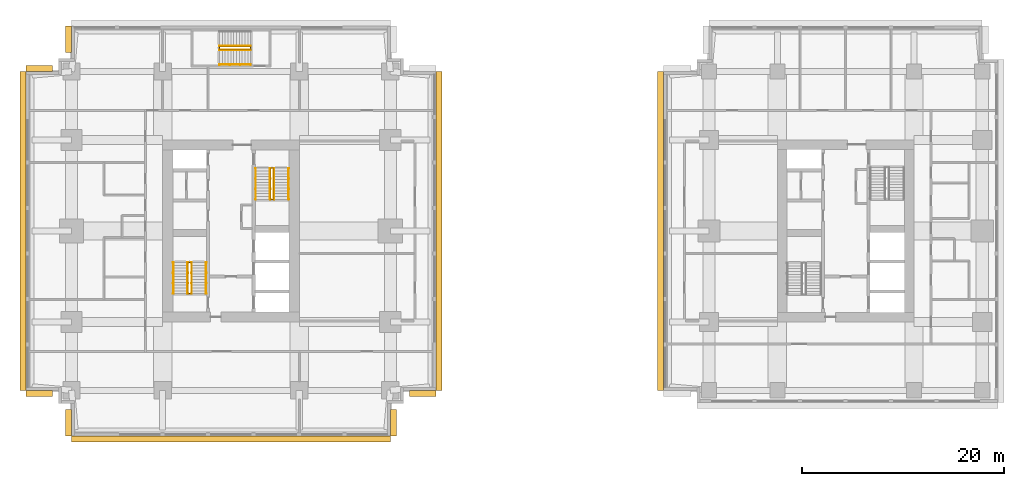
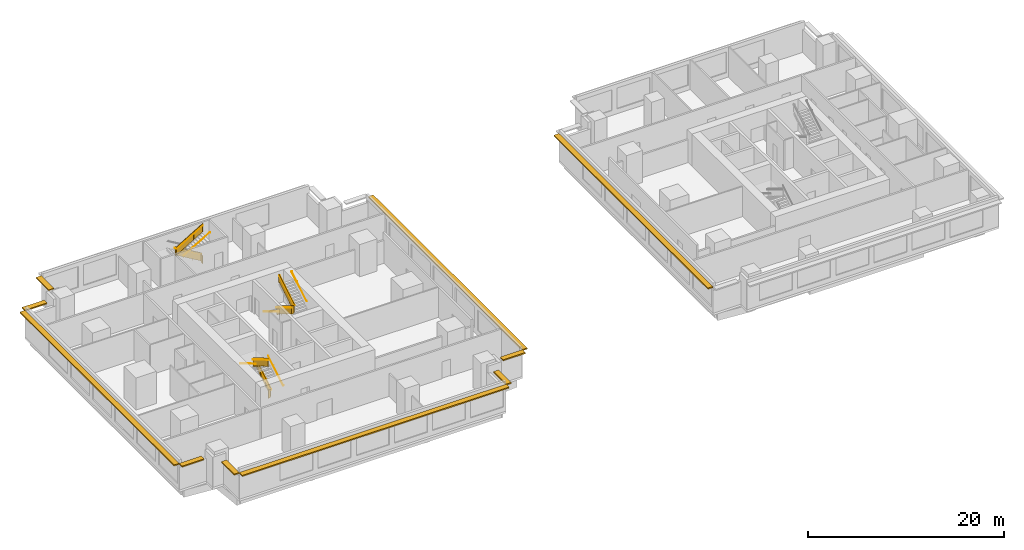
# One storey, part 9 of 10: 14 railings, 10 shading devices.
"""IFC4 building model written with IfcOpenShell, lengths in metres."""

import ifcopenshell
import ifcopenshell.guid

model = None  # the IFC model being written
_history = None  # IfcOwnerHistory: only IFC2X3 demands one
_inside = {}  # id of a spatial element -> (the spatial element, [elements in it])
_under = {}  # id of a project, library or spatial element -> (it, [spatial elements below it])
_declared = {}  # id of a project -> (the project, [libraries it declares])
_typed = {}  # id of a type object -> (the type object, [elements of that type])
_made_of = {}  # id of a material, layer set ... -> (it, [elements and type objects made of it])


def new_model(schema):
    """Start an empty IFC model of exactly this schema.

    Asked for "IFC4X3", IfcOpenShell would pick the latest addendum, in which some entities
    have other attributes; the version numbers below select the first issue.
    IFC2X3 requires an IfcOwnerHistory on every rooted entity: one is made here for all.
    """
    global model, _history
    if schema == "IFC4X3":
        model = ifcopenshell.file(schema_version=(4, 3, 0, 0))
    else:
        model = ifcopenshell.file(schema=schema)
    _inside.clear()
    _under.clear()
    _declared.clear()
    _typed.clear()
    _made_of.clear()
    _history = None
    if model.schema == "IFC2X3":
        org = make("IfcOrganization", Name="unknown")
        user = make(
            "IfcPersonAndOrganization",
            ThePerson=make("IfcPerson", FamilyName="unknown"),
            TheOrganization=org,
        )
        app = make(
            "IfcApplication",
            ApplicationDeveloper=org,
            Version="unknown",
            ApplicationFullName="unknown",
            ApplicationIdentifier="unknown",
        )
        _history = make(
            "IfcOwnerHistory",
            OwningUser=user,
            OwningApplication=app,
            ChangeAction="ADDED",
            CreationDate=0,
        )
    return model


def make(cls, **values):
    """One entity of the class cls with the attributes given. An attribute that is None is left unset."""
    return model.create_entity(
        cls, **{name: value for name, value in values.items() if value is not None}
    )


def rooted(cls, **values):
    """An entity with a GlobalId (a new one), such as an element, a storey or a relation."""
    return make(cls, GlobalId=ifcopenshell.guid.new(), OwnerHistory=_history, **values)


def si_unit(unit_type, name, prefix=None):
    """IfcSIUnit, for example si_unit("LENGTHUNIT", "METRE", prefix="MILLI")."""
    return make("IfcSIUnit", UnitType=unit_type, Prefix=prefix, Name=name)


def assignment(units):
    """IfcUnitAssignment: the units of a project."""
    return None if units is None else make("IfcUnitAssignment", Units=units)


def point(xyz):
    """IfcCartesianPoint."""
    return None if xyz is None else make("IfcCartesianPoint", Coordinates=xyz)


def direction(xyz):
    """IfcDirection."""
    return None if xyz is None else make("IfcDirection", DirectionRatios=xyz)


def frame(location, z_axis=None, x_axis=None):
    """IfcAxis2Placement3D, a coordinate frame: its origin and axes. An axis left out is left unset."""
    return make(
        "IfcAxis2Placement3D",
        Location=point(location),
        Axis=direction(z_axis),
        RefDirection=direction(x_axis),
    )


def frame_2d(location, x_axis=None):
    """IfcAxis2Placement2D, a coordinate frame in the plane: its origin and x axis."""
    return make(
        "IfcAxis2Placement2D", Location=point(location), RefDirection=direction(x_axis)
    )


def origin():
    """The frame at (0, 0, 0) with its axes left unset."""
    return frame((0.0, 0.0, 0.0))


def origin_2d():
    """The frame at (0, 0) in the plane with its x axis left unset."""
    return frame_2d((0.0, 0.0))


def place(relative_to, where):
    """IfcLocalPlacement: puts the frame where relative to a parent placement (None: the world)."""
    return make(
        "IfcLocalPlacement", PlacementRelTo=relative_to, RelativePlacement=where
    )


def context(
    kind, dimensions, precision=None, world=None, true_north=None, identifier=None
):
    """IfcGeometricRepresentationContext, for example the 3D "Model" context."""
    return make(
        "IfcGeometricRepresentationContext",
        ContextIdentifier=identifier,
        ContextType=kind,
        CoordinateSpaceDimension=dimensions,
        Precision=precision,
        WorldCoordinateSystem=world,
        TrueNorth=true_north,
    )


def subcontext(parent, identifier, kind, view, scale=None):
    """IfcGeometricRepresentationSubContext, for example "Body" below "Model"."""
    return make(
        "IfcGeometricRepresentationSubContext",
        ContextIdentifier=identifier,
        ContextType=kind,
        ParentContext=parent,
        TargetScale=scale,
        TargetView=view,
    )


def project(units=None, contexts=None):
    """IfcProject with its units and contexts."""
    return rooted(
        "IfcProject",
        Name="project",
        RepresentationContexts=contexts,
        UnitsInContext=assignment(units),
    )


def spatial(cls, under=None, at=None, **own):
    """A site, building, storey or space (cls), placed at a placement, below another one or the project."""
    s = rooted(cls, ObjectPlacement=at, **own)
    if under is not None:
        _under.setdefault(under.id(), (under, []))[1].append(s)
    return s


def polyline(points):
    """IfcPolyline through the points."""
    return make("IfcPolyline", Points=[point(p) for p in points])


def profile(cls, at=None, kind="AREA", **sizes):
    """A parametric profile (cls). Its sizes go by their IFC names, for example OverallWidth=200.0."""
    return make(cls, ProfileType=kind, Position=at, **sizes)


def rectangle(**sizes):
    """IfcRectangleProfileDef."""
    return profile("IfcRectangleProfileDef", **sizes)


def circle(**sizes):
    """IfcCircleProfileDef."""
    return profile("IfcCircleProfileDef", **sizes)


def outline(outer, holes=None, kind="AREA"):
    """IfcArbitraryClosedProfileDef: a profile drawn as a closed curve; with holes, ...WithVoids."""
    if holes is None:
        return make("IfcArbitraryClosedProfileDef", ProfileType=kind, OuterCurve=outer)
    return make(
        "IfcArbitraryProfileDefWithVoids",
        ProfileType=kind,
        OuterCurve=outer,
        InnerCurves=holes,
    )


def extrude(swept, where, along, depth):
    """IfcExtrudedAreaSolid: the profile swept, set in the frame where, extruded along a direction by depth."""
    return make(
        "IfcExtrudedAreaSolid",
        SweptArea=swept,
        Position=where,
        ExtrudedDirection=direction(along),
        Depth=depth,
    )


def shape(context_of_items, identifier, shape_type, items):
    """IfcShapeRepresentation: the items that make up one representation, for example the "Body"."""
    return make(
        "IfcShapeRepresentation",
        ContextOfItems=context_of_items,
        RepresentationIdentifier=identifier,
        RepresentationType=shape_type,
        Items=items,
    )


def material(Name=None, Category=None):
    """IfcMaterial."""
    return make("IfcMaterial", Name=Name, Category=Category)


def layer(
    of_material, thickness, ventilated=None, Name=None, Category=None, Priority=None
):
    """IfcMaterialLayer: one layer of a wall or slab, of a material (None: an air gap)."""
    return make(
        "IfcMaterialLayer",
        Material=of_material,
        LayerThickness=thickness,
        IsVentilated=ventilated,
        Name=Name,
        Category=Category,
        Priority=Priority,
    )


def layer_set(layers, Name=None):
    """IfcMaterialLayerSet."""
    return make("IfcMaterialLayerSet", MaterialLayers=layers, LayerSetName=Name)


def made_of(thing, what):
    """Note that an element or type object is made of a material, layer set ...; save() writes the relation."""
    if what is not None:
        _made_of.setdefault(what.id(), (what, []))[1].append(thing)
    return thing


def type_object(cls, material=None, **own):
    """A type object (cls), such as IfcWallType, which elements share."""
    return made_of(rooted(cls, **own), material)


def element(
    cls,
    number,
    at=None,
    inside=None,
    cuts=None,
    type_object=None,
    material=None,
    context=None,
    identifier="Body",
    shape_type=None,
    held_by="IfcProductDefinitionShape",
    body=None,
    shapes=None,
    **own,
):
    """One element of the class cls, such as IfcWall. Its Tag is "e" and its number.

    at: its placement. inside: the storey or other place that contains it. cuts: it is an
    opening in that element (IfcRelVoidsElement). A single representation is given by context,
    identifier, shape_type and body (its items); several are given by shapes. held_by: the class
    of the entity that holds the representations. save() writes the other relations.
    """
    e = rooted(cls, Tag="e%d" % number, ObjectPlacement=at, **own)
    if body is not None:
        shapes = [shape(context, identifier, shape_type, body)]
    if shapes is not None:
        e.Representation = make(held_by, Representations=shapes)
    if inside is not None:
        _inside.setdefault(inside.id(), (inside, []))[1].append(e)
    if cuts is not None:
        rooted(
            "IfcRelVoidsElement", RelatingBuildingElement=cuts, RelatedOpeningElement=e
        )
    if type_object is not None:
        _typed.setdefault(type_object.id(), (type_object, []))[1].append(e)
    return made_of(e, material)


def aggregate(whole, parts):
    """IfcRelAggregates: a whole, such as a stair, and the parts it consists of."""
    return rooted("IfcRelAggregates", RelatingObject=whole, RelatedObjects=parts)


def save(model, path):
    """Write the relations noted so far, then the file.

    IfcRelAggregates (storeys below a building ...), IfcRelContainedInSpatialStructure (elements
    in a storey), IfcRelDefinesByType, IfcRelAssociatesMaterial and IfcRelDeclares: one each for
    every whole, place, type object, material and project.
    """
    for whole, parts in _under.values():
        aggregate(whole, parts)
    for where, things in _inside.values():
        rooted(
            "IfcRelContainedInSpatialStructure",
            RelatedElements=things,
            RelatingStructure=where,
        )
    for kind, things in _typed.values():
        rooted("IfcRelDefinesByType", RelatedObjects=things, RelatingType=kind)
    for what, things in _made_of.values():
        rooted("IfcRelAssociatesMaterial", RelatedObjects=things, RelatingMaterial=what)
    for by, libraries in _declared.values():
        rooted("IfcRelDeclares", RelatingContext=by, RelatedDefinitions=libraries)
    model.write(path)


model = new_model("IFC4")

# Units and contexts
model_context = context("Model", 3, precision=1e-05, world=origin(), true_north=direction((0.0, 1.0)))
body_context = subcontext(model_context, "Body", "Model", "MODEL_VIEW")
ifc_project = project(units=[si_unit("LENGTHUNIT", "METRE"), si_unit("AREAUNIT", "SQUARE_METRE"), si_unit("VOLUMEUNIT", "CUBIC_METRE"), si_unit("PLANEANGLEUNIT", "RADIAN"), si_unit("MASSUNIT", "GRAM", prefix="KILO")], contexts=[model_context])

# Site, building, storey
site_placement = place(None, origin())
site = spatial("IfcSite", under=ifc_project, at=site_placement, CompositionType="ELEMENT")
building_placement = place(site_placement, origin())
building = spatial("IfcBuilding", under=site, at=building_placement, Name="Namib Vertical Campus", CompositionType="ELEMENT")
storey_placement = place(building_placement, frame((0.0, 0.0, 161.0)))
storey = spatial("IfcBuildingStorey", under=building, at=storey_placement, Name="L38", CompositionType="ELEMENT", Elevation=161.0)

# Railings
ifc_material_1 = material(Name="Steel handrail", Category="steel")
railing_type_1 = type_object("IfcRailingType", Name="Handrail 900", PredefinedType="HANDRAIL", material=ifc_material_1)
railing_1_placement = place(storey_placement, frame((17.800048828125, 14.050048828125, 0.166748046875)))
element("IfcRailing", 1, at=railing_1_placement, inside=storey, type_object=railing_type_1, Name="Handrail HR1 A-S1 L38 1", PredefinedType="HANDRAIL", context=body_context, shape_type="SweptSolid", body=[
    extrude(circle(Radius=0.02392578125, at=origin_2d()), frame((0.0, 0.0, 0.8759765625), z_axis=(0.0, 0.859290745958, 0.51148745235), x_axis=(-1.0, 0.0, 0.0)), (0.0, 0.0, 1.0), 3.584228515625),
    extrude(circle(Radius=0.008056640625, at=origin_2d()), frame((0.0, 0.0, 0.8759765625), z_axis=(1.0, 0.0, 0.0), x_axis=(0.0, 0.0, 1.0)), (0.0, 0.0, 1.0), 0.050048828125),
    extrude(circle(Radius=0.008056640625, at=origin_2d()), frame((0.0, 1.026611328125, 1.48681640625), z_axis=(1.0, 0.0, 0.0), x_axis=(0.0, 0.0, 1.0)), (0.0, 0.0, 1.0), 0.050048828125),
    extrude(circle(Radius=0.008056640625, at=origin_2d()), frame((0.0, 2.05322265625, 2.09814453125), z_axis=(1.0, 0.0, 0.0), x_axis=(0.0, 0.0, 1.0)), (0.0, 0.0, 1.0), 0.050048828125),
    extrude(circle(Radius=0.008056640625, at=origin_2d()), frame((0.0, 3.079833984375, 2.708984375), z_axis=(1.0, 0.0, 0.0), x_axis=(0.0, 0.0, 1.0)), (0.0, 0.0, 1.0), 0.050048828125),
])
railing_2_placement = place(storey_placement, frame((14.550048828125, 17.1298828125, 2.166748046875)))
element("IfcRailing", 2, at=railing_2_placement, inside=storey, type_object=railing_type_1, Name="Handrail HR1 A-S1 L38 2", PredefinedType="HANDRAIL", context=body_context, shape_type="SweptSolid", body=[
    extrude(circle(Radius=0.02392578125, at=origin_2d()), frame((0.0, 0.0, 0.8759765625), z_axis=(0.0, -0.859290745958, 0.51148745235), x_axis=(1.0, 0.0, 0.0)), (0.0, 0.0, 1.0), 3.584228515625),
    extrude(circle(Radius=0.008056640625, at=origin_2d()), frame((0.0, 0.0, 0.8759765625), z_axis=(-1.0, 0.0, 0.0), x_axis=(0.0, 0.0, 1.0)), (0.0, 0.0, 1.0), 0.050048828125),
    extrude(circle(Radius=0.008056640625, at=origin_2d()), frame((0.0, -1.026611328125, 1.48681640625), z_axis=(-1.0, 0.0, 0.0), x_axis=(0.0, 0.0, 1.0)), (0.0, 0.0, 1.0), 0.050048828125),
    extrude(circle(Radius=0.008056640625, at=origin_2d()), frame((0.0, -2.05322265625, 2.09814453125), z_axis=(-1.0, 0.0, 0.0), x_axis=(0.0, 0.0, 1.0)), (0.0, 0.0, 1.0), 0.050048828125),
    extrude(circle(Radius=0.008056640625, at=origin_2d()), frame((0.0, -3.079833984375, 2.708984375), z_axis=(-1.0, 0.0, 0.0), x_axis=(0.0, 0.0, 1.0)), (0.0, 0.0, 1.0), 0.050048828125),
])
railing_3_placement = place(storey_placement, frame((16.375, 14.050048828125, 0.166748046875)))
element("IfcRailing", 3, at=railing_3_placement, inside=storey, type_object=railing_type_1, Name="Handrail HR1 A-S1 L38 1 at the well", PredefinedType="HANDRAIL", context=body_context, shape_type="SweptSolid", body=[
    extrude(circle(Radius=0.02392578125, at=origin_2d()), frame((0.0, 0.0, 0.8759765625), z_axis=(0.0, 0.859290745958, 0.51148745235), x_axis=(-1.0, 0.0, 0.0)), (0.0, 0.0, 1.0), 3.584228515625),
    extrude(circle(Radius=0.008056640625, at=origin_2d()), frame((0.0, 0.0, 0.8759765625), z_axis=(-1.0, 0.0, 0.0), x_axis=(0.0, 0.0, 1.0)), (0.0, 0.0, 1.0), 0.0400390625),
    extrude(circle(Radius=0.008056640625, at=origin_2d()), frame((0.0, 1.026611328125, 1.48681640625), z_axis=(-1.0, 0.0, 0.0), x_axis=(0.0, 0.0, 1.0)), (0.0, 0.0, 1.0), 0.0400390625),
    extrude(circle(Radius=0.008056640625, at=origin_2d()), frame((0.0, 2.05322265625, 2.09814453125), z_axis=(-1.0, 0.0, 0.0), x_axis=(0.0, 0.0, 1.0)), (0.0, 0.0, 1.0), 0.0400390625),
    extrude(circle(Radius=0.008056640625, at=origin_2d()), frame((0.0, 3.079833984375, 2.708984375), z_axis=(-1.0, 0.0, 0.0), x_axis=(0.0, 0.0, 1.0)), (0.0, 0.0, 1.0), 0.0400390625),
])
railing_4_placement = place(storey_placement, frame((15.97509765625, 17.1298828125, 2.166748046875)))
element("IfcRailing", 4, at=railing_4_placement, inside=storey, type_object=railing_type_1, Name="Handrail HR1 A-S1 L38 2 at the well", PredefinedType="HANDRAIL", context=body_context, shape_type="SweptSolid", body=[
    extrude(circle(Radius=0.02392578125, at=origin_2d()), frame((0.0, 0.0, 0.8759765625), z_axis=(0.0, -0.859290745958, 0.51148745235), x_axis=(1.0, 0.0, 0.0)), (0.0, 0.0, 1.0), 3.584228515625),
    extrude(circle(Radius=0.008056640625, at=origin_2d()), frame((0.0, 0.0, 0.8759765625), z_axis=(1.0, 0.0, 0.0), x_axis=(0.0, 0.0, 1.0)), (0.0, 0.0, 1.0), 0.0400390625),
    extrude(circle(Radius=0.008056640625, at=origin_2d()), frame((0.0, -1.026611328125, 1.48681640625), z_axis=(1.0, 0.0, 0.0), x_axis=(0.0, 0.0, 1.0)), (0.0, 0.0, 1.0), 0.0400390625),
    extrude(circle(Radius=0.008056640625, at=origin_2d()), frame((0.0, -2.05322265625, 2.09814453125), z_axis=(1.0, 0.0, 0.0), x_axis=(0.0, 0.0, 1.0)), (0.0, 0.0, 1.0), 0.0400390625),
    extrude(circle(Radius=0.008056640625, at=origin_2d()), frame((0.0, -3.079833984375, 2.708984375), z_axis=(1.0, 0.0, 0.0), x_axis=(0.0, 0.0, 1.0)), (0.0, 0.0, 1.0), 0.0400390625),
])
railing_5_placement = place(storey_placement, frame((22.699951171875, 26.449951171875, 0.166748046875)))
element("IfcRailing", 5, at=railing_5_placement, inside=storey, type_object=railing_type_1, Name="Handrail HR1 A-S2 L38 1", PredefinedType="HANDRAIL", context=body_context, shape_type="SweptSolid", body=[
    extrude(circle(Radius=0.02392578125, at=origin_2d()), frame((0.0, 0.0, 0.8759765625), z_axis=(0.0, -0.859290745958, 0.51148745235), x_axis=(1.0, 0.0, 0.0)), (0.0, 0.0, 1.0), 3.584228515625),
    extrude(circle(Radius=0.008056640625, at=origin_2d()), frame((0.0, 0.0, 0.8759765625), z_axis=(-1.0, 0.0, 0.0), x_axis=(0.0, 0.0, 1.0)), (0.0, 0.0, 1.0), 0.050048828125),
    extrude(circle(Radius=0.008056640625, at=origin_2d()), frame((0.0, -1.026611328125, 1.48681640625), z_axis=(-1.0, 0.0, 0.0), x_axis=(0.0, 0.0, 1.0)), (0.0, 0.0, 1.0), 0.050048828125),
    extrude(circle(Radius=0.008056640625, at=origin_2d()), frame((0.0, -2.05322265625, 2.09814453125), z_axis=(-1.0, 0.0, 0.0), x_axis=(0.0, 0.0, 1.0)), (0.0, 0.0, 1.0), 0.050048828125),
    extrude(circle(Radius=0.008056640625, at=origin_2d()), frame((0.0, -3.079833984375, 2.708984375), z_axis=(-1.0, 0.0, 0.0), x_axis=(0.0, 0.0, 1.0)), (0.0, 0.0, 1.0), 0.050048828125),
])
railing_6_placement = place(storey_placement, frame((25.949951171875, 23.3701171875, 2.166748046875)))
element("IfcRailing", 6, at=railing_6_placement, inside=storey, type_object=railing_type_1, Name="Handrail HR1 A-S2 L38 2", PredefinedType="HANDRAIL", context=body_context, shape_type="SweptSolid", body=[
    extrude(circle(Radius=0.02392578125, at=origin_2d()), frame((0.0, 0.0, 0.8759765625), z_axis=(0.0, 0.859290745958, 0.51148745235), x_axis=(-1.0, 0.0, 0.0)), (0.0, 0.0, 1.0), 3.584228515625),
    extrude(circle(Radius=0.008056640625, at=origin_2d()), frame((0.0, 0.0, 0.8759765625), z_axis=(1.0, 0.0, 0.0), x_axis=(0.0, 0.0, 1.0)), (0.0, 0.0, 1.0), 0.050048828125),
    extrude(circle(Radius=0.008056640625, at=origin_2d()), frame((0.0, 1.026611328125, 1.48681640625), z_axis=(1.0, 0.0, 0.0), x_axis=(0.0, 0.0, 1.0)), (0.0, 0.0, 1.0), 0.050048828125),
    extrude(circle(Radius=0.008056640625, at=origin_2d()), frame((0.0, 2.05322265625, 2.09814453125), z_axis=(1.0, 0.0, 0.0), x_axis=(0.0, 0.0, 1.0)), (0.0, 0.0, 1.0), 0.050048828125),
    extrude(circle(Radius=0.008056640625, at=origin_2d()), frame((0.0, 3.079833984375, 2.708984375), z_axis=(1.0, 0.0, 0.0), x_axis=(0.0, 0.0, 1.0)), (0.0, 0.0, 1.0), 0.050048828125),
])
railing_7_placement = place(storey_placement, frame((24.125, 26.449951171875, 0.166748046875)))
element("IfcRailing", 7, at=railing_7_placement, inside=storey, type_object=railing_type_1, Name="Handrail HR1 A-S2 L38 1 at the well", PredefinedType="HANDRAIL", context=body_context, shape_type="SweptSolid", body=[
    extrude(circle(Radius=0.02392578125, at=origin_2d()), frame((0.0, 0.0, 0.8759765625), z_axis=(0.0, -0.859290745958, 0.51148745235), x_axis=(1.0, 0.0, 0.0)), (0.0, 0.0, 1.0), 3.584228515625),
    extrude(circle(Radius=0.008056640625, at=origin_2d()), frame((0.0, 0.0, 0.8759765625), z_axis=(1.0, 0.0, 0.0), x_axis=(0.0, 0.0, 1.0)), (0.0, 0.0, 1.0), 0.0400390625),
    extrude(circle(Radius=0.008056640625, at=origin_2d()), frame((0.0, -1.026611328125, 1.48681640625), z_axis=(1.0, 0.0, 0.0), x_axis=(0.0, 0.0, 1.0)), (0.0, 0.0, 1.0), 0.0400390625),
    extrude(circle(Radius=0.008056640625, at=origin_2d()), frame((0.0, -2.05322265625, 2.09814453125), z_axis=(1.0, 0.0, 0.0), x_axis=(0.0, 0.0, 1.0)), (0.0, 0.0, 1.0), 0.0400390625),
    extrude(circle(Radius=0.008056640625, at=origin_2d()), frame((0.0, -3.079833984375, 2.708984375), z_axis=(1.0, 0.0, 0.0), x_axis=(0.0, 0.0, 1.0)), (0.0, 0.0, 1.0), 0.0400390625),
])
railing_8_placement = place(storey_placement, frame((24.52490234375, 23.3701171875, 2.166748046875)))
element("IfcRailing", 8, at=railing_8_placement, inside=storey, type_object=railing_type_1, Name="Handrail HR1 A-S2 L38 2 at the well", PredefinedType="HANDRAIL", context=body_context, shape_type="SweptSolid", body=[
    extrude(circle(Radius=0.02392578125, at=origin_2d()), frame((0.0, 0.0, 0.8759765625), z_axis=(0.0, 0.859290745958, 0.51148745235), x_axis=(-1.0, 0.0, 0.0)), (0.0, 0.0, 1.0), 3.584228515625),
    extrude(circle(Radius=0.008056640625, at=origin_2d()), frame((0.0, 0.0, 0.8759765625), z_axis=(-1.0, 0.0, 0.0), x_axis=(0.0, 0.0, 1.0)), (0.0, 0.0, 1.0), 0.0400390625),
    extrude(circle(Radius=0.008056640625, at=origin_2d()), frame((0.0, 1.026611328125, 1.48681640625), z_axis=(-1.0, 0.0, 0.0), x_axis=(0.0, 0.0, 1.0)), (0.0, 0.0, 1.0), 0.0400390625),
    extrude(circle(Radius=0.008056640625, at=origin_2d()), frame((0.0, 2.05322265625, 2.09814453125), z_axis=(-1.0, 0.0, 0.0), x_axis=(0.0, 0.0, 1.0)), (0.0, 0.0, 1.0), 0.0400390625),
    extrude(circle(Radius=0.008056640625, at=origin_2d()), frame((0.0, 3.079833984375, 2.708984375), z_axis=(-1.0, 0.0, 0.0), x_axis=(0.0, 0.0, 1.0)), (0.0, 0.0, 1.0), 0.0400390625),
])
railing_9_placement = place(storey_placement, frame((19.1201171875, 36.699951171875, 2.166748046875)))
element("IfcRailing", 9, at=railing_9_placement, inside=storey, type_object=railing_type_1, Name="Handrail HR1 A-S3 L38 2", PredefinedType="HANDRAIL", context=body_context, shape_type="SweptSolid", body=[
    extrude(circle(Radius=0.02392578125, at=origin_2d()), frame((0.0, 0.0, 0.8759765625), z_axis=(0.859290745958, 0.0, 0.51148745235), x_axis=(0.0, 1.0, 0.0)), (0.0, 0.0, 1.0), 3.584228515625),
    extrude(circle(Radius=0.008056640625, at=origin_2d()), frame((0.0, 0.0, 0.8759765625), z_axis=(0.0, -1.0, 0.0), x_axis=(0.0, 0.0, 1.0)), (0.0, 0.0, 1.0), 0.050048828125),
    extrude(circle(Radius=0.008056640625, at=origin_2d()), frame((1.026611328125, 0.0, 1.48681640625), z_axis=(0.0, -1.0, 0.0), x_axis=(0.0, 0.0, 1.0)), (0.0, 0.0, 1.0), 0.050048828125),
    extrude(circle(Radius=0.008056640625, at=origin_2d()), frame((2.05322265625, 0.0, 2.09814453125), z_axis=(0.0, -1.0, 0.0), x_axis=(0.0, 0.0, 1.0)), (0.0, 0.0, 1.0), 0.050048828125),
    extrude(circle(Radius=0.008056640625, at=origin_2d()), frame((3.079833984375, 0.0, 2.708984375), z_axis=(0.0, -1.0, 0.0), x_axis=(0.0, 0.0, 1.0)), (0.0, 0.0, 1.0), 0.050048828125),
])
railing_10_placement = place(storey_placement, frame((22.199951171875, 38.52490234375, 0.166748046875)))
element("IfcRailing", 10, at=railing_10_placement, inside=storey, type_object=railing_type_1, Name="Handrail HR1 A-S3 L38 1 at the well", PredefinedType="HANDRAIL", context=body_context, shape_type="SweptSolid", body=[
    extrude(circle(Radius=0.02392578125, at=origin_2d()), frame((0.0, 0.0, 0.8759765625), z_axis=(-0.859290745958, 0.0, 0.51148745235), x_axis=(0.0, -1.0, 0.0)), (0.0, 0.0, 1.0), 3.584228515625),
    extrude(circle(Radius=0.008056640625, at=origin_2d()), frame((0.0, 0.0, 0.8759765625), z_axis=(0.0, -1.0, 0.0), x_axis=(0.0, 0.0, 1.0)), (0.0, 0.0, 1.0), 0.0400390625),
    extrude(circle(Radius=0.008056640625, at=origin_2d()), frame((-1.026611328125, 0.0, 1.48681640625), z_axis=(0.0, -1.0, 0.0), x_axis=(0.0, 0.0, 1.0)), (0.0, 0.0, 1.0), 0.0400390625),
    extrude(circle(Radius=0.008056640625, at=origin_2d()), frame((-2.05322265625, 0.0, 2.09814453125), z_axis=(0.0, -1.0, 0.0), x_axis=(0.0, 0.0, 1.0)), (0.0, 0.0, 1.0), 0.0400390625),
    extrude(circle(Radius=0.008056640625, at=origin_2d()), frame((-3.079833984375, 0.0, 2.708984375), z_axis=(0.0, -1.0, 0.0), x_axis=(0.0, 0.0, 1.0)), (0.0, 0.0, 1.0), 0.0400390625),
])
railing_11_placement = place(storey_placement, frame((19.1201171875, 38.125, 2.166748046875)))
element("IfcRailing", 11, at=railing_11_placement, inside=storey, type_object=railing_type_1, Name="Handrail HR1 A-S3 L38 2 at the well", PredefinedType="HANDRAIL", context=body_context, shape_type="SweptSolid", body=[
    extrude(circle(Radius=0.02392578125, at=origin_2d()), frame((0.0, 0.0, 0.8759765625), z_axis=(0.859290745958, 0.0, 0.51148745235), x_axis=(0.0, 1.0, 0.0)), (0.0, 0.0, 1.0), 3.584228515625),
    extrude(circle(Radius=0.008056640625, at=origin_2d()), frame((0.0, 0.0, 0.8759765625), z_axis=(0.0, 1.0, 0.0), x_axis=(0.0, 0.0, 1.0)), (0.0, 0.0, 1.0), 0.0400390625),
    extrude(circle(Radius=0.008056640625, at=origin_2d()), frame((1.026611328125, 0.0, 1.48681640625), z_axis=(0.0, 1.0, 0.0), x_axis=(0.0, 0.0, 1.0)), (0.0, 0.0, 1.0), 0.0400390625),
    extrude(circle(Radius=0.008056640625, at=origin_2d()), frame((2.05322265625, 0.0, 2.09814453125), z_axis=(0.0, 1.0, 0.0), x_axis=(0.0, 0.0, 1.0)), (0.0, 0.0, 1.0), 0.0400390625),
    extrude(circle(Radius=0.008056640625, at=origin_2d()), frame((3.079833984375, 0.0, 2.708984375), z_axis=(0.0, 1.0, 0.0), x_axis=(0.0, 0.0, 1.0)), (0.0, 0.0, 1.0), 0.0400390625),
])
ifc_material_2 = material(Name="Steel balustrade", Category="steel")
railing_type_2 = type_object("IfcRailingType", Name="Stair guard 1100", PredefinedType="GUARDRAIL", material=ifc_material_2)
railing_12_placement = place(storey_placement, frame((16.02490234375, 14.050048828125, 0.0)))
element("IfcRailing", 12, at=railing_12_placement, inside=storey, type_object=railing_type_2, Name="Stair guard GR1 A-S1 L38", PredefinedType="GUARDRAIL", context=body_context, shape_type="SweptSolid", body=[
    extrude(circle(Radius=0.02392578125, at=origin_2d()), frame((0.0, 0.0, 1.076171875), z_axis=(1.0, 0.0, 0.0), x_axis=(0.0, 1.0, 0.0)), (0.0, 0.0, 1.0), 0.300048828125),
    extrude(outline(polyline([(0.02099609375, 0.050048828125), (0.279052734375, 0.050048828125), (0.279052734375, 1.052001953125), (0.02099609375, 1.052001953125), (0.02099609375, 0.050048828125)])), frame((0.0, 0.010009765625, 0.0), z_axis=(0.0, -1.0, 0.0), x_axis=(1.0, 0.0, 0.0)), (0.0, 0.0, 1.0), 0.02001953125),
    extrude(circle(Radius=0.02392578125, at=origin_2d()), frame((0.300048828125, 0.0, 1.076171875), z_axis=(0.0, 0.0, 1.0), x_axis=(1.0, 0.0, 0.0)), (0.0, 0.0, 1.0), 0.166748046875),
    extrude(circle(Radius=0.02392578125, at=origin_2d()), frame((0.300048828125, 0.0, 1.24267578125), z_axis=(0.0, 0.859290745958, 0.51148745235), x_axis=(-1.0, 0.0, 0.0)), (0.0, 0.0, 1.0), 3.584228515625),
    extrude(outline(polyline([(0.02099609375, 0.0625), (3.058837890625, 1.870849609375), (3.058837890625, 2.872802734375), (0.02099609375, 1.064453125), (0.02099609375, 0.0625)])), frame((0.2900390625, 0.0, 0.166748046875), z_axis=(1.0, 0.0, 0.0), x_axis=(0.0, 1.0, 0.0)), (0.0, 0.0, 1.0), 0.02001953125),
    extrude(circle(Radius=0.02392578125, at=origin_2d()), frame((0.300048828125, 3.079833984375, 3.076171875), z_axis=(-1.0, 0.0, 0.0), x_axis=(0.0, -1.0, 0.0)), (0.0, 0.0, 1.0), 0.300048828125),
    extrude(outline(polyline([(0.02099609375, 0.050048828125), (0.279052734375, 0.050048828125), (0.279052734375, 1.052001953125), (0.02099609375, 1.052001953125), (0.02099609375, 0.050048828125)])), frame((0.300048828125, 3.06982421875, 2.0), z_axis=(0.0, 1.0, 0.0), x_axis=(-1.0, 0.0, 0.0)), (0.0, 0.0, 1.0), 0.02001953125),
    extrude(circle(Radius=0.02392578125, at=origin_2d()), frame((0.0, 3.079833984375, 3.076171875), z_axis=(0.0, 0.0, 1.0), x_axis=(1.0, 0.0, 0.0)), (0.0, 0.0, 1.0), 0.166748046875),
    extrude(circle(Radius=0.02392578125, at=origin_2d()), frame((0.0, 3.079833984375, 3.24267578125), z_axis=(0.0, -0.859290745958, 0.51148745235), x_axis=(1.0, 0.0, 0.0)), (0.0, 0.0, 1.0), 3.584228515625),
    extrude(outline(polyline([(0.02099609375, 0.0625), (3.058837890625, 1.870849609375), (3.058837890625, 2.872802734375), (0.02099609375, 1.064453125), (0.02099609375, 0.0625)])), frame((0.010009765625, 3.079833984375, 2.166748046875), z_axis=(-1.0, 0.0, 0.0), x_axis=(0.0, -1.0, 0.0)), (0.0, 0.0, 1.0), 0.02001953125),
    extrude(circle(Radius=0.02392578125, at=origin_2d()), frame((0.0, 0.0, 5.076171875), z_axis=(0.0, -1.0, 0.0), x_axis=(1.0, 0.0, 0.0)), (0.0, 0.0, 1.0), 0.050048828125),
    extrude(outline(polyline([(0.02099609375, 0.050048828125), (0.029052734375, 0.050048828125), (0.029052734375, 1.052001953125), (0.02099609375, 1.052001953125), (0.02099609375, 0.050048828125)])), frame((0.010009765625, 0.0, 4.0), z_axis=(-1.0, 0.0, 0.0), x_axis=(0.0, -1.0, 0.0)), (0.0, 0.0, 1.0), 0.02001953125),
    extrude(circle(Radius=0.02099609375, at=origin_2d()), origin(), (0.0, 0.0, 1.0), 1.052001953125),
    extrude(circle(Radius=0.02099609375, at=origin_2d()), frame((0.300048828125, 0.0, 0.166748046875)), (0.0, 0.0, 1.0), 1.052001953125),
    extrude(circle(Radius=0.02099609375, at=origin_2d()), frame((0.300048828125, 1.026611328125, 0.666748046875)), (0.0, 0.0, 1.0), 1.1630859375),
    extrude(circle(Radius=0.02099609375, at=origin_2d()), frame((0.300048828125, 2.05322265625, 1.33349609375)), (0.0, 0.0, 1.0), 1.107421875),
    extrude(circle(Radius=0.02099609375, at=origin_2d()), frame((0.300048828125, 3.079833984375, 2.0)), (0.0, 0.0, 1.0), 1.052001953125),
    extrude(circle(Radius=0.02099609375, at=origin_2d()), frame((0.0, 3.079833984375, 2.166748046875)), (0.0, 0.0, 1.0), 1.052001953125),
    extrude(circle(Radius=0.02099609375, at=origin_2d()), frame((0.0, 2.05322265625, 2.666748046875)), (0.0, 0.0, 1.0), 1.1630859375),
    extrude(circle(Radius=0.02099609375, at=origin_2d()), frame((0.0, 1.026611328125, 3.33349609375)), (0.0, 0.0, 1.0), 1.107421875),
    extrude(circle(Radius=0.02099609375, at=origin_2d()), frame((0.0, 0.0, 4.0)), (0.0, 0.0, 1.0), 1.052001953125),
    extrude(circle(Radius=0.02099609375, at=origin_2d()), frame((0.0, -0.050048828125, 4.0)), (0.0, 0.0, 1.0), 1.052001953125),
])
railing_13_placement = place(storey_placement, frame((24.47509765625, 26.449951171875, 0.0)))
element("IfcRailing", 13, at=railing_13_placement, inside=storey, type_object=railing_type_2, Name="Stair guard GR1 A-S2 L38", PredefinedType="GUARDRAIL", context=body_context, shape_type="SweptSolid", body=[
    extrude(circle(Radius=0.02392578125, at=origin_2d()), frame((0.0, 0.0, 1.076171875), z_axis=(-1.0, 0.0, 0.0), x_axis=(0.0, -1.0, 0.0)), (0.0, 0.0, 1.0), 0.300048828125),
    extrude(outline(polyline([(0.02099609375, 0.050048828125), (0.279052734375, 0.050048828125), (0.279052734375, 1.052001953125), (0.02099609375, 1.052001953125), (0.02099609375, 0.050048828125)])), frame((0.0, -0.010009765625, 0.0), z_axis=(0.0, 1.0, 0.0), x_axis=(-1.0, 0.0, 0.0)), (0.0, 0.0, 1.0), 0.02001953125),
    extrude(circle(Radius=0.02392578125, at=origin_2d()), frame((-0.300048828125, 0.0, 1.076171875), z_axis=(0.0, 0.0, 1.0), x_axis=(1.0, 0.0, 0.0)), (0.0, 0.0, 1.0), 0.166748046875),
    extrude(circle(Radius=0.02392578125, at=origin_2d()), frame((-0.300048828125, 0.0, 1.24267578125), z_axis=(0.0, -0.859290745958, 0.51148745235), x_axis=(1.0, 0.0, 0.0)), (0.0, 0.0, 1.0), 3.584228515625),
    extrude(outline(polyline([(0.02099609375, 0.0625), (3.058837890625, 1.870849609375), (3.058837890625, 2.872802734375), (0.02099609375, 1.064453125), (0.02099609375, 0.0625)])), frame((-0.2900390625, 0.0, 0.166748046875), z_axis=(-1.0, 0.0, 0.0), x_axis=(0.0, -1.0, 0.0)), (0.0, 0.0, 1.0), 0.02001953125),
    extrude(circle(Radius=0.02392578125, at=origin_2d()), frame((-0.300048828125, -3.079833984375, 3.076171875), z_axis=(1.0, 0.0, 0.0), x_axis=(0.0, 1.0, 0.0)), (0.0, 0.0, 1.0), 0.300048828125),
    extrude(outline(polyline([(0.02099609375, 0.050048828125), (0.279052734375, 0.050048828125), (0.279052734375, 1.052001953125), (0.02099609375, 1.052001953125), (0.02099609375, 0.050048828125)])), frame((-0.300048828125, -3.06982421875, 2.0), z_axis=(0.0, -1.0, 0.0), x_axis=(1.0, 0.0, 0.0)), (0.0, 0.0, 1.0), 0.02001953125),
    extrude(circle(Radius=0.02392578125, at=origin_2d()), frame((0.0, -3.079833984375, 3.076171875), z_axis=(0.0, 0.0, 1.0), x_axis=(1.0, 0.0, 0.0)), (0.0, 0.0, 1.0), 0.166748046875),
    extrude(circle(Radius=0.02392578125, at=origin_2d()), frame((0.0, -3.079833984375, 3.24267578125), z_axis=(0.0, 0.859290745958, 0.51148745235), x_axis=(-1.0, 0.0, 0.0)), (0.0, 0.0, 1.0), 3.584228515625),
    extrude(outline(polyline([(0.02099609375, 0.0625), (3.058837890625, 1.870849609375), (3.058837890625, 2.872802734375), (0.02099609375, 1.064453125), (0.02099609375, 0.0625)])), frame((-0.010009765625, -3.079833984375, 2.166748046875), z_axis=(1.0, 0.0, 0.0), x_axis=(0.0, 1.0, 0.0)), (0.0, 0.0, 1.0), 0.02001953125),
    extrude(circle(Radius=0.02392578125, at=origin_2d()), frame((0.0, 0.0, 5.076171875), z_axis=(0.0, 1.0, 0.0), x_axis=(-1.0, 0.0, 0.0)), (0.0, 0.0, 1.0), 0.050048828125),
    extrude(outline(polyline([(0.02099609375, 0.050048828125), (0.029052734375, 0.050048828125), (0.029052734375, 1.052001953125), (0.02099609375, 1.052001953125), (0.02099609375, 0.050048828125)])), frame((-0.010009765625, 0.0, 4.0), z_axis=(1.0, 0.0, 0.0), x_axis=(0.0, 1.0, 0.0)), (0.0, 0.0, 1.0), 0.02001953125),
    extrude(circle(Radius=0.02099609375, at=origin_2d()), origin(), (0.0, 0.0, 1.0), 1.052001953125),
    extrude(circle(Radius=0.02099609375, at=origin_2d()), frame((-0.300048828125, 0.0, 0.166748046875)), (0.0, 0.0, 1.0), 1.052001953125),
    extrude(circle(Radius=0.02099609375, at=origin_2d()), frame((-0.300048828125, -1.026611328125, 0.666748046875)), (0.0, 0.0, 1.0), 1.1630859375),
    extrude(circle(Radius=0.02099609375, at=origin_2d()), frame((-0.300048828125, -2.05322265625, 1.33349609375)), (0.0, 0.0, 1.0), 1.107421875),
    extrude(circle(Radius=0.02099609375, at=origin_2d()), frame((-0.300048828125, -3.079833984375, 2.0)), (0.0, 0.0, 1.0), 1.052001953125),
    extrude(circle(Radius=0.02099609375, at=origin_2d()), frame((0.0, -3.079833984375, 2.166748046875)), (0.0, 0.0, 1.0), 1.052001953125),
    extrude(circle(Radius=0.02099609375, at=origin_2d()), frame((0.0, -2.05322265625, 2.666748046875)), (0.0, 0.0, 1.0), 1.1630859375),
    extrude(circle(Radius=0.02099609375, at=origin_2d()), frame((0.0, -1.026611328125, 3.33349609375)), (0.0, 0.0, 1.0), 1.107421875),
    extrude(circle(Radius=0.02099609375, at=origin_2d()), frame((0.0, 0.0, 4.0)), (0.0, 0.0, 1.0), 1.052001953125),
    extrude(circle(Radius=0.02099609375, at=origin_2d()), frame((0.0, 0.050048828125, 4.0)), (0.0, 0.0, 1.0), 1.052001953125),
])
railing_14_placement = place(storey_placement, frame((22.199951171875, 38.175048828125, 0.0)))
element("IfcRailing", 14, at=railing_14_placement, inside=storey, type_object=railing_type_2, Name="Stair guard GR1 A-S3 L38", PredefinedType="GUARDRAIL", context=body_context, shape_type="SweptSolid", body=[
    extrude(circle(Radius=0.02392578125, at=origin_2d()), frame((0.0, 0.0, 1.076171875), z_axis=(0.0, 1.0, 0.0), x_axis=(-1.0, 0.0, 0.0)), (0.0, 0.0, 1.0), 0.300048828125),
    extrude(outline(polyline([(0.02099609375, 0.050048828125), (0.279052734375, 0.050048828125), (0.279052734375, 1.052001953125), (0.02099609375, 1.052001953125), (0.02099609375, 0.050048828125)])), frame((-0.010009765625, 0.0, 0.0), z_axis=(1.0, 0.0, 0.0), x_axis=(0.0, 1.0, 0.0)), (0.0, 0.0, 1.0), 0.02001953125),
    extrude(circle(Radius=0.02392578125, at=origin_2d()), frame((0.0, 0.300048828125, 1.076171875), z_axis=(0.0, 0.0, 1.0), x_axis=(1.0, 0.0, 0.0)), (0.0, 0.0, 1.0), 0.166748046875),
    extrude(circle(Radius=0.02392578125, at=origin_2d()), frame((0.0, 0.300048828125, 1.24267578125), z_axis=(-0.859290745958, 0.0, 0.51148745235), x_axis=(0.0, -1.0, 0.0)), (0.0, 0.0, 1.0), 3.584228515625),
    extrude(outline(polyline([(0.02099609375, 0.0625), (3.058837890625, 1.870849609375), (3.058837890625, 2.872802734375), (0.02099609375, 1.064453125), (0.02099609375, 0.0625)])), frame((0.0, 0.2900390625, 0.166748046875), z_axis=(0.0, 1.0, 0.0), x_axis=(-1.0, 0.0, 0.0)), (0.0, 0.0, 1.0), 0.02001953125),
    extrude(circle(Radius=0.02392578125, at=origin_2d()), frame((-3.079833984375, 0.300048828125, 3.076171875), z_axis=(0.0, -1.0, 0.0), x_axis=(1.0, 0.0, 0.0)), (0.0, 0.0, 1.0), 0.300048828125),
    extrude(outline(polyline([(0.02099609375, 0.050048828125), (0.279052734375, 0.050048828125), (0.279052734375, 1.052001953125), (0.02099609375, 1.052001953125), (0.02099609375, 0.050048828125)])), frame((-3.06982421875, 0.300048828125, 2.0), z_axis=(-1.0, 0.0, 0.0), x_axis=(0.0, -1.0, 0.0)), (0.0, 0.0, 1.0), 0.02001953125),
    extrude(circle(Radius=0.02392578125, at=origin_2d()), frame((-3.079833984375, 0.0, 3.076171875), z_axis=(0.0, 0.0, 1.0), x_axis=(1.0, 0.0, 0.0)), (0.0, 0.0, 1.0), 0.166748046875),
    extrude(circle(Radius=0.02392578125, at=origin_2d()), frame((-3.079833984375, 0.0, 3.24267578125), z_axis=(0.859290745958, 0.0, 0.51148745235), x_axis=(0.0, 1.0, 0.0)), (0.0, 0.0, 1.0), 3.584228515625),
    extrude(outline(polyline([(0.02099609375, 0.0625), (3.058837890625, 1.870849609375), (3.058837890625, 2.872802734375), (0.02099609375, 1.064453125), (0.02099609375, 0.0625)])), frame((-3.079833984375, 0.010009765625, 2.166748046875), z_axis=(0.0, -1.0, 0.0), x_axis=(1.0, 0.0, 0.0)), (0.0, 0.0, 1.0), 0.02001953125),
    extrude(circle(Radius=0.02392578125, at=origin_2d()), frame((0.0, 0.0, 5.076171875), z_axis=(1.0, 0.0, 0.0), x_axis=(0.0, 1.0, 0.0)), (0.0, 0.0, 1.0), 0.050048828125),
    extrude(outline(polyline([(0.02099609375, 0.050048828125), (0.029052734375, 0.050048828125), (0.029052734375, 1.052001953125), (0.02099609375, 1.052001953125), (0.02099609375, 0.050048828125)])), frame((0.0, 0.010009765625, 4.0), z_axis=(0.0, -1.0, 0.0), x_axis=(1.0, 0.0, 0.0)), (0.0, 0.0, 1.0), 0.02001953125),
    extrude(circle(Radius=0.02099609375, at=origin_2d()), origin(), (0.0, 0.0, 1.0), 1.052001953125),
    extrude(circle(Radius=0.02099609375, at=origin_2d()), frame((0.0, 0.300048828125, 0.166748046875)), (0.0, 0.0, 1.0), 1.052001953125),
    extrude(circle(Radius=0.02099609375, at=origin_2d()), frame((-1.026611328125, 0.300048828125, 0.666748046875)), (0.0, 0.0, 1.0), 1.1630859375),
    extrude(circle(Radius=0.02099609375, at=origin_2d()), frame((-2.05322265625, 0.300048828125, 1.33349609375)), (0.0, 0.0, 1.0), 1.107421875),
    extrude(circle(Radius=0.02099609375, at=origin_2d()), frame((-3.079833984375, 0.300048828125, 2.0)), (0.0, 0.0, 1.0), 1.052001953125),
    extrude(circle(Radius=0.02099609375, at=origin_2d()), frame((-3.079833984375, 0.0, 2.166748046875)), (0.0, 0.0, 1.0), 1.052001953125),
    extrude(circle(Radius=0.02099609375, at=origin_2d()), frame((-2.05322265625, 0.0, 2.666748046875)), (0.0, 0.0, 1.0), 1.1630859375),
    extrude(circle(Radius=0.02099609375, at=origin_2d()), frame((-1.026611328125, 0.0, 3.33349609375)), (0.0, 0.0, 1.0), 1.107421875),
    extrude(circle(Radius=0.02099609375, at=origin_2d()), frame((0.0, 0.0, 4.0)), (0.0, 0.0, 1.0), 1.052001953125),
    extrude(circle(Radius=0.02099609375, at=origin_2d()), frame((0.050048828125, 0.0, 4.0)), (0.0, 0.0, 1.0), 1.052001953125),
])

# Shading devices
ifc_material_3 = material(Name="Concrete C40/50 precast", Category="concrete")
ifc_layer = layer(ifc_material_3, 0.14990234375)
ifc_layer_set = layer_set([ifc_layer], Name="Concrete C40/50 precast")
shading_device_type = type_object("IfcShadingDeviceType", Name="Sunshade hood 600", PredefinedType="SHUTTER", material=ifc_layer_set)
shading_device_1_placement = place(storey_placement, frame((20.25, -0.300048828125, 3.199951171875), z_axis=(0.0, 0.0, 1.0), x_axis=(1.0, 0.0, 0.0)))
element("IfcShadingDevice", 15, at=shading_device_1_placement, inside=storey, type_object=shading_device_type, Name="Sunshade SH3 L38 1", PredefinedType="SHUTTER", context=body_context, shape_type="SweptSolid", body=[
    extrude(rectangle(XDim=31.5, YDim=0.60009765625, at=origin_2d()), origin(), (0.0, 0.0, 1.0), 0.14990234375),
])
for number, where, z_axis, x_axis, name in (
    (16, (36.300048828125, 1.300048828125, 3.199951171875), (0.0, 0.0, 1.0), (0.0, 1.0, 0.0), "Sunshade SH3 L38 2"),
    (17, (39.199951171875, 4.199951171875, 3.199951171875), (0.0, 0.0, 1.0), (1.0, 0.0, 0.0), "Sunshade SH3 L38 5"),
):
    element("IfcShadingDevice", number, at=place(storey_placement, frame(where, z_axis=z_axis, x_axis=x_axis)), inside=storey, type_object=shading_device_type, Name=name, PredefinedType="SHUTTER", context=body_context, shape_type="SweptSolid", body=[
        extrude(rectangle(XDim=2.60009765625, YDim=0.60009765625, at=origin_2d()), origin(), (0.0, 0.0, 1.0), 0.14990234375),
    ])
shading_device_2_placement = place(storey_placement, frame((40.800048828125, 20.25, 3.199951171875), z_axis=(0.0, 0.0, 1.0), x_axis=(0.0, 1.0, 0.0)))
element("IfcShadingDevice", 18, at=shading_device_2_placement, inside=storey, type_object=shading_device_type, Name="Sunshade SH3 L38 6", PredefinedType="SHUTTER", context=body_context, shape_type="SweptSolid", body=[
    extrude(rectangle(XDim=31.5, YDim=0.60009765625, at=origin_2d()), origin(), (0.0, 0.0, 1.0), 0.14990234375),
])
for number, where, z_axis, x_axis, name in (
    (19, (4.199951171875, 39.199951171875, 3.199951171875), (0.0, 0.0, 1.0), (0.0, -1.0, 0.0), "Sunshade SH3 L38 12"),
    (20, (1.300048828125, 36.300048828125, 3.199951171875), (0.0, 0.0, 1.0), (-1.0, 0.0, 0.0), "Sunshade SH3 L38 15"),
):
    element("IfcShadingDevice", number, at=place(storey_placement, frame(where, z_axis=z_axis, x_axis=x_axis)), inside=storey, type_object=shading_device_type, Name=name, PredefinedType="SHUTTER", context=body_context, shape_type="SweptSolid", body=[
        extrude(rectangle(XDim=2.60009765625, YDim=0.60009765625, at=origin_2d()), origin(), (0.0, 0.0, 1.0), 0.14990234375),
    ])
shading_device_3_placement = place(storey_placement, frame((-0.300048828125, 20.25, 3.199951171875), z_axis=(0.0, 0.0, 1.0), x_axis=(0.0, -1.0, 0.0)))
element("IfcShadingDevice", 21, at=shading_device_3_placement, inside=storey, type_object=shading_device_type, Name="Sunshade SH3 L38 16", PredefinedType="SHUTTER", context=body_context, shape_type="SweptSolid", body=[
    extrude(rectangle(XDim=31.5, YDim=0.60009765625, at=origin_2d()), origin(), (0.0, 0.0, 1.0), 0.14990234375),
])
for number, where, z_axis, x_axis, name in (
    (22, (1.300048828125, 4.199951171875, 3.199951171875), (0.0, 0.0, 1.0), (1.0, 0.0, 0.0), "Sunshade SH3 L38 17"),
    (23, (4.199951171875, 1.300048828125, 3.199951171875), (0.0, 0.0, 1.0), (0.0, -1.0, 0.0), "Sunshade SH3 L38 20"),
):
    element("IfcShadingDevice", number, at=place(storey_placement, frame(where, z_axis=z_axis, x_axis=x_axis)), inside=storey, type_object=shading_device_type, Name=name, PredefinedType="SHUTTER", context=body_context, shape_type="SweptSolid", body=[
        extrude(rectangle(XDim=2.60009765625, YDim=0.60009765625, at=origin_2d()), origin(), (0.0, 0.0, 1.0), 0.14990234375),
    ])
shading_device_4_placement = place(storey_placement, frame((62.699951171875, 20.25, 3.199951171875), z_axis=(0.0, 0.0, 1.0), x_axis=(0.0, -1.0, 0.0)))
element("IfcShadingDevice", 24, at=shading_device_4_placement, inside=storey, type_object=shading_device_type, Name="Sunshade SH3 L38 12", PredefinedType="SHUTTER", context=body_context, shape_type="SweptSolid", body=[
    extrude(rectangle(XDim=31.5, YDim=0.60009765625, at=origin_2d()), origin(), (0.0, 0.0, 1.0), 0.14990234375),
])

save(model, "model.ifc")
